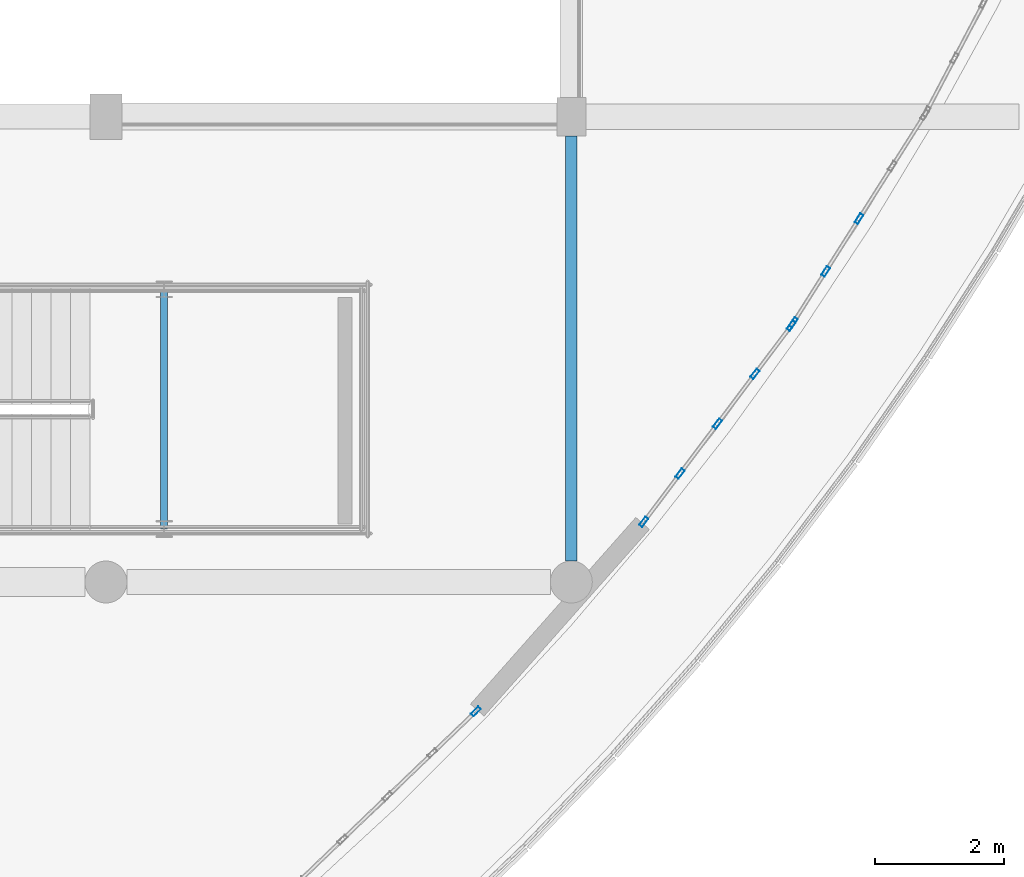
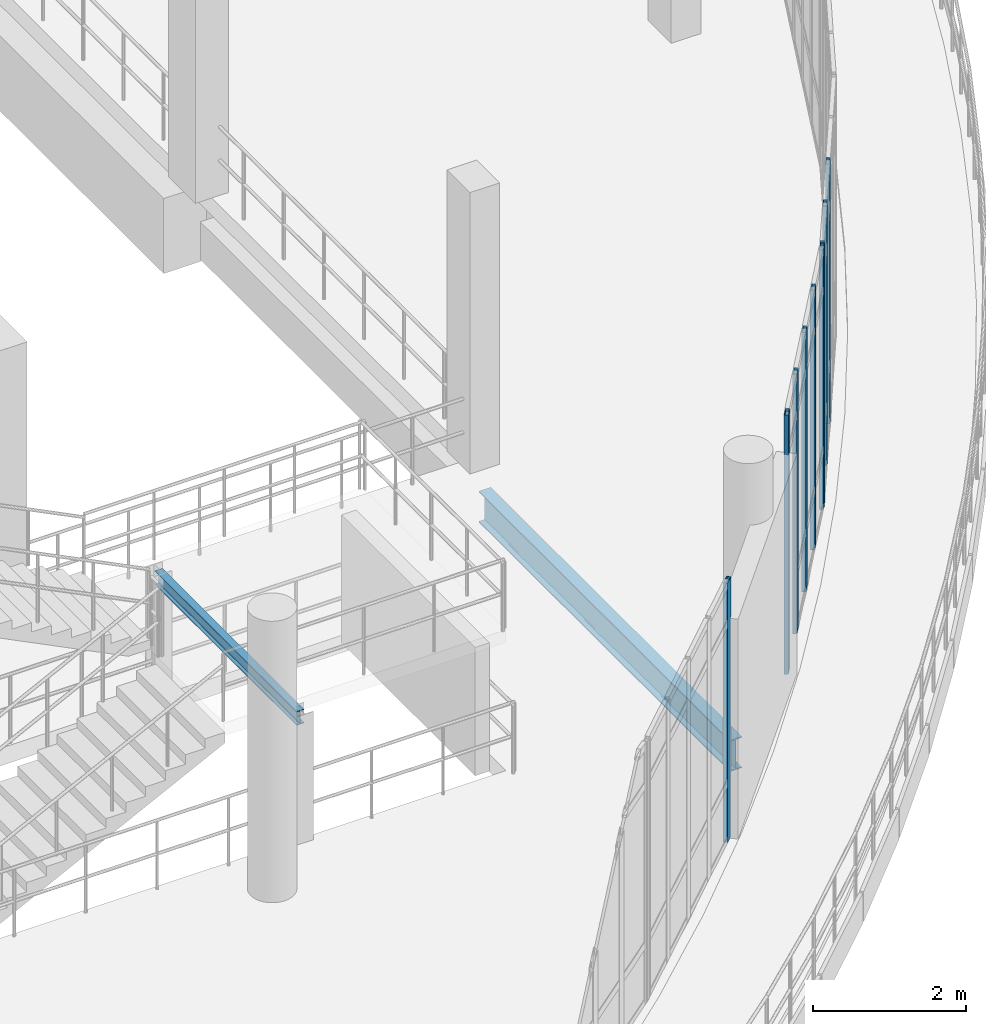
# One storey, part 40 of 124: 9 members, 2 beams, 3 elements without a shape of their own.
"""IFC4 building model written with IfcOpenShell, lengths in metres."""

from ifc_helpers import new_model, si_unit, direction, frame, origin, origin_2d, place, context, subcontext, project, spatial, hollow_rectangle, i_section, extrude, material, material_profile, profile_set, type_object, element, aggregate, save


model = new_model("IFC4")

# Units and contexts
model_context = context("Model", 3, precision=1e-05, world=origin(), true_north=direction((0.0, 1.0)))
body_context = subcontext(model_context, "Body", "Model", "MODEL_VIEW")
ifc_project = project(units=[si_unit("LENGTHUNIT", "METRE"), si_unit("AREAUNIT", "SQUARE_METRE"), si_unit("VOLUMEUNIT", "CUBIC_METRE"), si_unit("PLANEANGLEUNIT", "RADIAN"), si_unit("MASSUNIT", "GRAM", prefix="KILO")], contexts=[model_context])

# Site, building, storey
site_placement = place(None, origin())
site = spatial("IfcSite", under=ifc_project, at=site_placement, CompositionType="ELEMENT")
building_placement = place(site_placement, origin())
building = spatial("IfcBuilding", under=site, at=building_placement, Name="Kalluvel Institute of Natural Sciences", CompositionType="ELEMENT")
storey_placement = place(building_placement, frame((0.0, 0.0, 9.89990234375)))
storey = spatial("IfcBuildingStorey", under=building, at=storey_placement, Name="L02", CompositionType="ELEMENT", Elevation=9.89990234375)

# Beams
ifc_material_1 = material(Name="Steel E350 Grade 350", Category="steel")
ifc_material_profile_1 = material_profile(ifc_material_1, i_section(OverallWidth=0.110107421875, OverallDepth=0.22509765625, WebThickness=0.006591796875, FlangeThickness=0.01171875, FilletRadius=0.011962890625, at=origin_2d()), Name="ISMB 225")
ifc_profile_set_1 = profile_set([ifc_material_profile_1], Name="Steel E350 Grade 350")
beam_type_1 = type_object("IfcBeamType", Name="BM-ISMB225", PredefinedType="BEAM", material=ifc_profile_set_1)
beam_1_placement = place(storey_placement, frame((65.300048828125, 72.419921875, 1.925048828125), z_axis=(0.0, 1.0, 0.0), x_axis=(-1.0, 0.0, 0.0)))
element("IfcBeam", 1, at=beam_1_placement, inside=storey, type_object=beam_type_1, Name="L02 Atrium feature stair landing header beam", PredefinedType="BEAM", context=body_context, shape_type="SweptSolid", body=[
    extrude(i_section(OverallWidth=0.110107421875, OverallDepth=0.22509765625, WebThickness=0.006591796875, FlangeThickness=0.01171875, FilletRadius=0.011962890625, at=origin_2d()), origin(), (0.0, 0.0, 1.0), 3.7099609375),
])
ifc_material_profile_2 = material_profile(ifc_material_1, i_section(OverallWidth=0.179931640625, OverallDepth=0.5, WebThickness=0.01025390625, FlangeThickness=0.01708984375, FilletRadius=0.01708984375, at=origin_2d()), Name="ISMB 500")
ifc_profile_set_2 = profile_set([ifc_material_profile_2], Name="Steel E350 Grade 350")
beam_type_2 = type_object("IfcBeamType", Name="BM-ISMB500", PredefinedType="BEAM", material=ifc_profile_set_2)
beam_2_placement = place(storey_placement, frame((71.60009765625, 71.925048828125, -0.56982421875), z_axis=(0.0, 1.0, 0.0), x_axis=(-1.0, 0.0, 0.0)))
element("IfcBeam", 2, at=beam_2_placement, inside=storey, type_object=beam_type_2, Name="L02 girder GIR-L02-NS-X716-Y716", PredefinedType="BEAM", context=body_context, shape_type="SweptSolid", body=[
    extrude(i_section(OverallWidth=0.179931640625, OverallDepth=0.5, WebThickness=0.01025390625, FlangeThickness=0.01708984375, FilletRadius=0.01708984375, at=origin_2d()), origin(), (0.0, 0.0, 1.0), 6.574951171875),
])

# Curtain wall, member
ifc_material_2 = material(Name="Aluminium AW-6063 T6", Category="aluminium")
curtain_wall_type = type_object("IfcCurtainWallType", Name="CW-ATR-ARC", PredefinedType="USERDEFINED", material=ifc_material_2)
curtain_wall_1_placement = place(storey_placement, origin())
curtain_wall_1 = element("IfcCurtainWall", 3, at=curtain_wall_1_placement, inside=storey, type_object=curtain_wall_type, Name="L02 Gothic lancet curtain wall CWA-L02-X674-Y669", ObjectType="UNITISED LANCET FACADE", PredefinedType="USERDEFINED")
ifc_material_profile_3 = material_profile(ifc_material_2, hollow_rectangle(XDim=0.06005859375, YDim=0.159912109375, WallThickness=0.00390625, at=origin_2d()), Name="CWM 60x160")
ifc_profile_set_3 = profile_set([ifc_material_profile_3], Name="Aluminium AW-6063 T6")
member_type = type_object("IfcMemberType", Name="CWM-60x160", PredefinedType="MULLION", material=ifc_profile_set_3)
member_1_placement = place(storey_placement, frame((70.1240234375, 69.59765625, 0.0), z_axis=(0.0, 0.0, 1.0), x_axis=(-0.692731463329, 0.721195618202, 0.0)))
member_1 = element("IfcMember", 4, at=member_1_placement, type_object=member_type, Name="CW-05 mullion 5", PredefinedType="MULLION", context=body_context, shape_type="SweptSolid", body=[
    extrude(hollow_rectangle(XDim=0.06005859375, YDim=0.159912109375, WallThickness=0.00390625, at=origin_2d()), origin(), (0.0, 0.0, 1.0), 4.150146484375),
])
aggregate(curtain_wall_1, [member_1])

# Curtain wall, members
curtain_wall_2_placement = place(storey_placement, origin())
curtain_wall_2 = element("IfcCurtainWall", 5, at=curtain_wall_2_placement, inside=storey, type_object=curtain_wall_type, Name="L02 Gothic lancet curtain wall CWA-L02-X727-Y725", ObjectType="UNITISED LANCET FACADE", PredefinedType="USERDEFINED")
member_2_placement = place(storey_placement, frame((72.7216796875, 72.52978515625, 0.0), z_axis=(0.0, 0.0, 1.0), x_axis=(-0.799445921549, 0.600738061487, 0.0)))
member_2 = element("IfcMember", 6, at=member_2_placement, type_object=member_type, Name="CW-05 mullion 1", PredefinedType="MULLION", context=body_context, shape_type="SweptSolid", body=[
    extrude(hollow_rectangle(XDim=0.06005859375, YDim=0.159912109375, WallThickness=0.00390625, at=origin_2d()), origin(), (0.0, 0.0, 1.0), 4.150146484375),
])
member_3_placement = place(storey_placement, frame((73.282958984375, 73.27685546875, 0.0), z_axis=(0.0, 0.0, 1.0), x_axis=(-0.799445921549, 0.600738061487, 0.0)))
member_3 = element("IfcMember", 7, at=member_3_placement, type_object=member_type, Name="CW-05 mullion 2", PredefinedType="MULLION", context=body_context, shape_type="SweptSolid", body=[
    extrude(hollow_rectangle(XDim=0.06005859375, YDim=0.159912109375, WallThickness=0.00390625, at=origin_2d()), origin(), (0.0, 0.0, 1.0), 4.150146484375),
])
member_4_placement = place(storey_placement, frame((73.8623046875, 74.0478515625, 0.0), z_axis=(0.0, 0.0, 1.0), x_axis=(-0.799445921549, 0.600738061487, 0.0)))
member_4 = element("IfcMember", 8, at=member_4_placement, type_object=member_type, Name="CW-05 mullion 3", PredefinedType="MULLION", context=body_context, shape_type="SweptSolid", body=[
    extrude(hollow_rectangle(XDim=0.06005859375, YDim=0.159912109375, WallThickness=0.00390625, at=origin_2d()), origin(), (0.0, 0.0, 1.0), 4.150146484375),
])
member_5_placement = place(storey_placement, frame((74.441650390625, 74.81884765625, 0.0), z_axis=(0.0, 0.0, 1.0), x_axis=(-0.799445921549, 0.600738061487, 0.0)))
member_5 = element("IfcMember", 9, at=member_5_placement, type_object=member_type, Name="CW-05 mullion 4", PredefinedType="MULLION", context=body_context, shape_type="SweptSolid", body=[
    extrude(hollow_rectangle(XDim=0.06005859375, YDim=0.159912109375, WallThickness=0.00390625, at=origin_2d()), origin(), (0.0, 0.0, 1.0), 4.150146484375),
])
member_6_placement = place(storey_placement, frame((75.0029296875, 75.565673828125, 0.0), z_axis=(0.0, 0.0, 1.0), x_axis=(-0.799445921549, 0.600738061487, 0.0)))
member_6 = element("IfcMember", 10, at=member_6_placement, type_object=member_type, Name="CW-05 mullion 5", PredefinedType="MULLION", context=body_context, shape_type="SweptSolid", body=[
    extrude(hollow_rectangle(XDim=0.06005859375, YDim=0.159912109375, WallThickness=0.00390625, at=origin_2d()), origin(), (0.0, 0.0, 1.0), 4.150146484375),
])
aggregate(curtain_wall_2, [member_2, member_3, member_4, member_5, member_6])

curtain_wall_3_placement = place(storey_placement, origin())
curtain_wall_3 = element("IfcCurtainWall", 11, at=curtain_wall_3_placement, inside=storey, type_object=curtain_wall_type, Name="L02 Gothic lancet curtain wall CWA-L02-X750-Y756", ObjectType="UNITISED LANCET FACADE", PredefinedType="USERDEFINED")
member_7_placement = place(storey_placement, frame((75.036865234375, 75.614990234375, 0.0), z_axis=(0.0, 0.0, 1.0), x_axis=(-0.845188773939, 0.534467900259, 0.0)))
member_7 = element("IfcMember", 12, at=member_7_placement, type_object=member_type, Name="CW-05 mullion 1", PredefinedType="MULLION", context=body_context, shape_type="SweptSolid", body=[
    extrude(hollow_rectangle(XDim=0.06005859375, YDim=0.159912109375, WallThickness=0.00390625, at=origin_2d()), origin(), (0.0, 0.0, 1.0), 4.150146484375),
])
member_8_placement = place(storey_placement, frame((75.536376953125, 76.40478515625, 0.0), z_axis=(0.0, 0.0, 1.0), x_axis=(-0.845188773939, 0.534467900259, 0.0)))
member_8 = element("IfcMember", 13, at=member_8_placement, type_object=member_type, Name="CW-05 mullion 2", PredefinedType="MULLION", context=body_context, shape_type="SweptSolid", body=[
    extrude(hollow_rectangle(XDim=0.06005859375, YDim=0.159912109375, WallThickness=0.00390625, at=origin_2d()), origin(), (0.0, 0.0, 1.0), 4.150146484375),
])
member_9_placement = place(storey_placement, frame((76.0517578125, 77.219970703125, 0.0), z_axis=(0.0, 0.0, 1.0), x_axis=(-0.845188773939, 0.534467900259, 0.0)))
member_9 = element("IfcMember", 14, at=member_9_placement, type_object=member_type, Name="CW-05 mullion 3", PredefinedType="MULLION", context=body_context, shape_type="SweptSolid", body=[
    extrude(hollow_rectangle(XDim=0.06005859375, YDim=0.159912109375, WallThickness=0.00390625, at=origin_2d()), origin(), (0.0, 0.0, 1.0), 4.150146484375),
])
aggregate(curtain_wall_3, [member_7, member_8, member_9])

save(model, "model.ifc")
